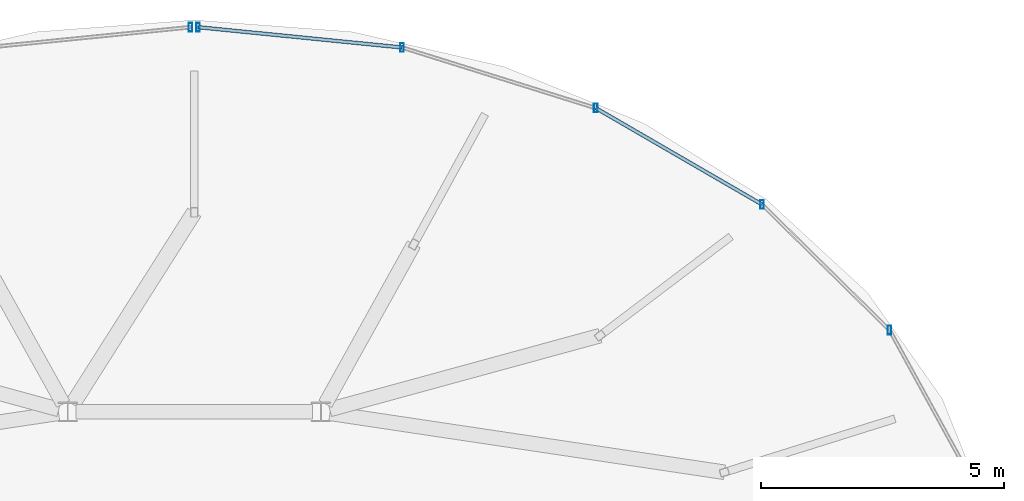
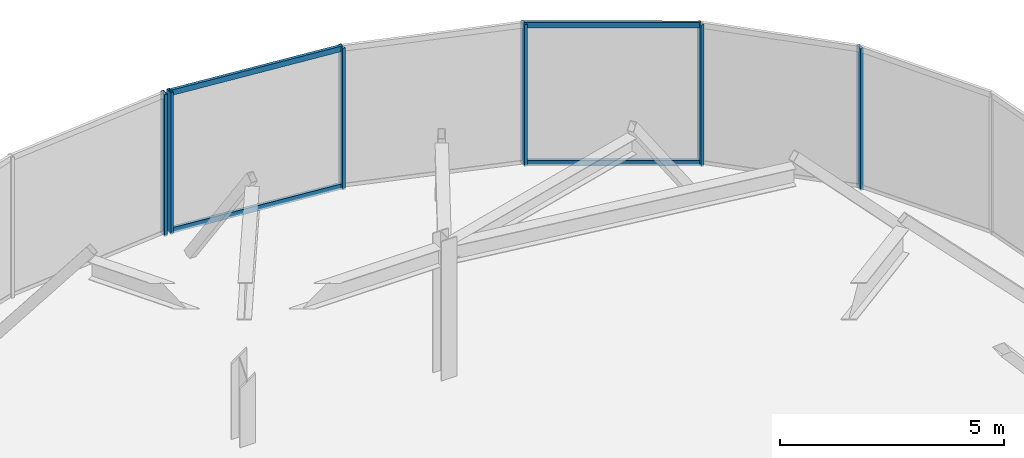
# One storey, part 11 of 13: 10 members, 2 elements without a shape of their own.
"""IFC4 building model written with IfcOpenShell, lengths in metres."""

from ifc_helpers import new_model, si_unit, direction, frame, origin, origin_2d, place, context, subcontext, project, spatial, hollow_rectangle, extrude, material, material_profile, profile_set, type_object, element, aggregate, save


model = new_model("IFC4")

# Units and contexts
model_context = context("Model", 3, precision=1e-05, world=origin(), true_north=direction((0.0, 1.0)))
body_context = subcontext(model_context, "Body", "Model", "MODEL_VIEW")
ifc_project = project(units=[si_unit("LENGTHUNIT", "METRE"), si_unit("AREAUNIT", "SQUARE_METRE"), si_unit("VOLUMEUNIT", "CUBIC_METRE"), si_unit("PLANEANGLEUNIT", "RADIAN"), si_unit("MASSUNIT", "GRAM", prefix="KILO")], contexts=[model_context])

# Site, building, storey
site_placement = place(None, origin())
site = spatial("IfcSite", under=ifc_project, at=site_placement, CompositionType="ELEMENT")
building_placement = place(site_placement, origin())
building = spatial("IfcBuilding", under=site, at=building_placement, Name="Vorneva Point Tower", CompositionType="ELEMENT")
storey_placement = place(building_placement, frame((0.0, 0.0, 303.0)))
storey = spatial("IfcBuildingStorey", under=building, at=storey_placement, Name="C03", CompositionType="ELEMENT", Elevation=303.0)

# Curtain wall, members
ifc_material = material(Name="Pale anodised aluminium", Category="aluminium")
curtain_wall_type = type_object("IfcCurtainWallType", Name="CW-CRN-SYS", PredefinedType="NOTDEFINED", material=ifc_material)
curtain_wall_1_placement = place(storey_placement, origin())
curtain_wall_1 = element("IfcCurtainWall", 1, at=curtain_wall_1_placement, inside=storey, type_object=curtain_wall_type, Name="C03 Unitised Curtain Wall CW-C03-Q1", PredefinedType="NOTDEFINED")
ifc_material_profile_1 = material_profile(ifc_material, hollow_rectangle(XDim=0.074951171875, YDim=0.179931640625, WallThickness=0.00390625, at=origin_2d()), Name="AL-MUL 180x75x4")
ifc_profile_set_1 = profile_set([ifc_material_profile_1], Name="Pale anodised aluminium")
member_type_1 = type_object("IfcMemberType", Name="CW-MUL-180", PredefinedType="MULLION", material=ifc_profile_set_1)
member_1_placement = place(storey_placement, frame((52.282470703125, 32.22998046875, -0.0400390625), z_axis=(0.0, 0.0, 1.0), x_axis=(1.0, 0.0, 0.0)))
member_1 = element("IfcMember", 2, at=member_1_placement, type_object=member_type_1, Name="CW-C03-Q1 Mullion 03", PredefinedType="MULLION", context=body_context, shape_type="SweptSolid", body=[
    extrude(hollow_rectangle(XDim=0.074951171875, YDim=0.179931640625, WallThickness=0.00390625, at=origin_2d()), origin(), (0.0, 0.0, 1.0), 3.8701171875),
])
member_2_placement = place(storey_placement, frame((49.66162109375, 34.810546875, -0.0400390625), z_axis=(0.0, 0.0, 1.0), x_axis=(1.0, 0.0, 0.0)))
member_2 = element("IfcMember", 3, at=member_2_placement, type_object=member_type_1, Name="CW-C03-Q1 Mullion 04", PredefinedType="MULLION", context=body_context, shape_type="SweptSolid", body=[
    extrude(hollow_rectangle(XDim=0.074951171875, YDim=0.179931640625, WallThickness=0.00390625, at=origin_2d()), origin(), (0.0, 0.0, 1.0), 3.8701171875),
])
member_3_placement = place(storey_placement, frame((46.24609375, 36.790771484375, -0.0400390625), z_axis=(0.0, 0.0, 1.0), x_axis=(1.0, 0.0, 0.0)))
member_3 = element("IfcMember", 4, at=member_3_placement, type_object=member_type_1, Name="CW-C03-Q1 Mullion 05", PredefinedType="MULLION", context=body_context, shape_type="SweptSolid", body=[
    extrude(hollow_rectangle(XDim=0.074951171875, YDim=0.179931640625, WallThickness=0.00390625, at=origin_2d()), origin(), (0.0, 0.0, 1.0), 3.8701171875),
])
member_4_placement = place(storey_placement, frame((42.268310546875, 38.035400390625, -0.0400390625), z_axis=(0.0, 0.0, 1.0), x_axis=(1.0, 0.0, 0.0)))
member_4 = element("IfcMember", 5, at=member_4_placement, type_object=member_type_1, Name="CW-C03-Q1 Mullion 06", PredefinedType="MULLION", context=body_context, shape_type="SweptSolid", body=[
    extrude(hollow_rectangle(XDim=0.074951171875, YDim=0.179931640625, WallThickness=0.00390625, at=origin_2d()), origin(), (0.0, 0.0, 1.0), 3.8701171875),
])
member_5_placement = place(storey_placement, frame((38.07958984375, 38.4521484375, -0.0400390625), z_axis=(0.0, 0.0, 1.0), x_axis=(1.0, 0.0, 0.0)))
member_5 = element("IfcMember", 6, at=member_5_placement, type_object=member_type_1, Name="CW-C03-Q1 Mullion 07", PredefinedType="MULLION", context=body_context, shape_type="SweptSolid", body=[
    extrude(hollow_rectangle(XDim=0.074951171875, YDim=0.179931640625, WallThickness=0.00390625, at=origin_2d()), origin(), (0.0, 0.0, 1.0), 3.8701171875),
])

# Curtain wall, member
curtain_wall_2_placement = place(storey_placement, origin())
curtain_wall_2 = element("IfcCurtainWall", 7, at=curtain_wall_2_placement, inside=storey, type_object=curtain_wall_type, Name="C03 Unitised Curtain Wall CW-C03-Q2", PredefinedType="NOTDEFINED")
member_6_placement = place(storey_placement, frame((37.92041015625, 38.4521484375, -0.0400390625), z_axis=(0.0, 0.0, 1.0), x_axis=(1.0, 0.0, 0.0)))
member_6 = element("IfcMember", 8, at=member_6_placement, type_object=member_type_1, Name="CW-C03-Q2 Mullion 01", PredefinedType="MULLION", context=body_context, shape_type="SweptSolid", body=[
    extrude(hollow_rectangle(XDim=0.074951171875, YDim=0.179931640625, WallThickness=0.00390625, at=origin_2d()), origin(), (0.0, 0.0, 1.0), 3.8701171875),
])
aggregate(curtain_wall_2, [member_6])

# Member
ifc_material_profile_2 = material_profile(ifc_material, hollow_rectangle(XDim=0.074951171875, YDim=0.14990234375, WallThickness=0.00390625, at=origin_2d()), Name="AL-TRN 150x75x4")
ifc_profile_set_2 = profile_set([ifc_material_profile_2], Name="Pale anodised aluminium")
member_type_2 = type_object("IfcMemberType", Name="CW-TRN-150", PredefinedType="USERDEFINED", material=ifc_profile_set_2)
member_7_placement = place(storey_placement, frame((49.66162109375, 34.810546875, 0.02001953125), z_axis=(-0.8651170579, 0.501570011196, 0.0), x_axis=(-0.501570011196, -0.8651170579, 0.0)))
member_7 = element("IfcMember", 9, at=member_7_placement, type_object=member_type_2, Name="CW-C03-Q1 Transom 04.1", ObjectType="TRANSOM", PredefinedType="USERDEFINED", context=body_context, shape_type="SweptSolid", body=[
    extrude(hollow_rectangle(XDim=0.074951171875, YDim=0.14990234375, WallThickness=0.00390625, at=origin_2d()), origin(), (0.0, 0.0, 1.0), 3.947998046875),
])

member_8_placement = place(storey_placement, frame((49.66162109375, 34.810546875, 3.780029296875), z_axis=(-0.8651170579, 0.501570011196, 0.0), x_axis=(-0.501570011196, -0.8651170579, 0.0)))
member_8 = element("IfcMember", 10, at=member_8_placement, type_object=member_type_2, Name="CW-C03-Q1 Transom 04.2", ObjectType="TRANSOM", PredefinedType="USERDEFINED", context=body_context, shape_type="SweptSolid", body=[
    extrude(hollow_rectangle(XDim=0.074951171875, YDim=0.14990234375, WallThickness=0.00390625, at=origin_2d()), origin(), (0.0, 0.0, 1.0), 3.947998046875),
])

member_9_placement = place(storey_placement, frame((42.268310546875, 38.035400390625, 0.02001953125), z_axis=(-0.995087024234, 0.099004112046, 0.0), x_axis=(-0.099004112046, -0.995087024234, 0.0)))
member_9 = element("IfcMember", 11, at=member_9_placement, type_object=member_type_2, Name="CW-C03-Q1 Transom 06.1", ObjectType="TRANSOM", PredefinedType="USERDEFINED", context=body_context, shape_type="SweptSolid", body=[
    extrude(hollow_rectangle(XDim=0.074951171875, YDim=0.14990234375, WallThickness=0.00390625, at=origin_2d()), origin(), (0.0, 0.0, 1.0), 4.20947265625),
])

member_10_placement = place(storey_placement, frame((42.268310546875, 38.035400390625, 3.780029296875), z_axis=(-0.995087024234, 0.099004112046, 0.0), x_axis=(-0.099004112046, -0.995087024234, 0.0)))
member_10 = element("IfcMember", 12, at=member_10_placement, type_object=member_type_2, Name="CW-C03-Q1 Transom 06.2", ObjectType="TRANSOM", PredefinedType="USERDEFINED", context=body_context, shape_type="SweptSolid", body=[
    extrude(hollow_rectangle(XDim=0.074951171875, YDim=0.14990234375, WallThickness=0.00390625, at=origin_2d()), origin(), (0.0, 0.0, 1.0), 4.20947265625),
])

aggregate(curtain_wall_1, [member_1, member_2, member_3, member_4, member_5, member_7, member_8, member_9, member_10])

save(model, "model.ifc")
